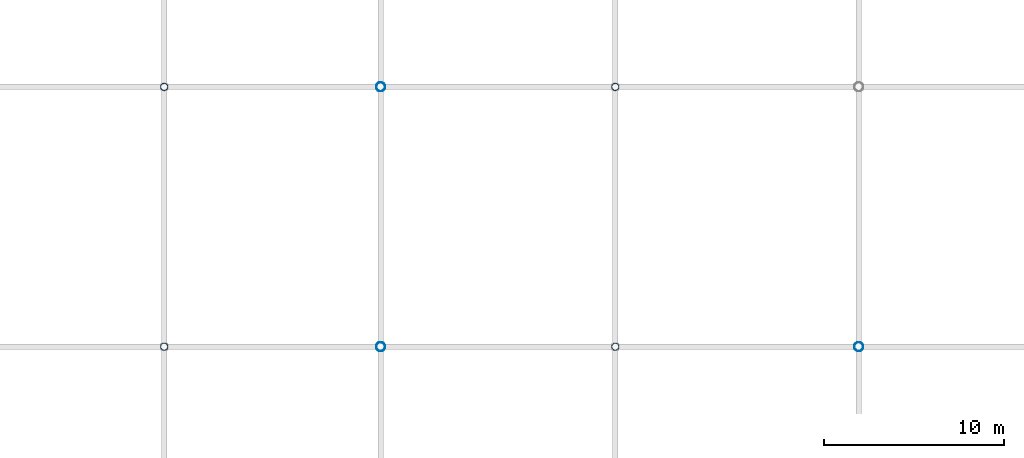
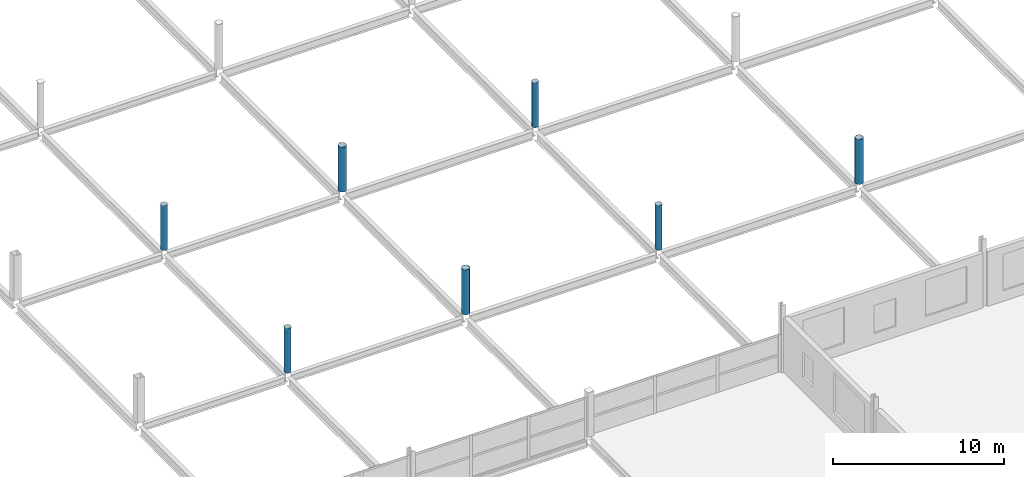
# One storey, part 15 of 134: 7 columns.
"""IFC4 building model written with IfcOpenShell, lengths in metres."""

from ifc_helpers import new_model, si_unit, direction, frame, origin, origin_2d, place, context, subcontext, project, spatial, hollow_circle, extrude, material, material_profile, profile_set, type_object, element, save


model = new_model("IFC4")

# Units and contexts
model_context = context("Model", 3, precision=1e-05, world=origin(), true_north=direction((0.0, 1.0)))
body_context = subcontext(model_context, "Body", "Model", "MODEL_VIEW")
ifc_project = project(units=[si_unit("LENGTHUNIT", "METRE"), si_unit("AREAUNIT", "SQUARE_METRE"), si_unit("VOLUMEUNIT", "CUBIC_METRE"), si_unit("PLANEANGLEUNIT", "RADIAN"), si_unit("MASSUNIT", "GRAM", prefix="KILO")], contexts=[model_context])

# Site, building, storey
site_placement = place(None, origin())
site = spatial("IfcSite", under=ifc_project, at=site_placement, CompositionType="ELEMENT")
building_placement = place(site_placement, origin())
building = spatial("IfcBuilding", under=site, at=building_placement, Name="Tamarisk Ironworks Central Station", CompositionType="ELEMENT")
storey_placement = place(building_placement, frame((0.0, 0.0, 12.60009765625)))
storey = spatial("IfcBuildingStorey", under=building, at=storey_placement, Name="L02", CompositionType="ELEMENT", Elevation=12.60009765625)

# Columns
ifc_material = material(Name="Structural steel S355J2H", Category="steel")
ifc_material_profile_1 = material_profile(ifc_material, hollow_circle(Radius=0.25390625, WallThickness=0.01611328125, at=origin_2d()), Name="CHS 508x16")
ifc_profile_set_1 = profile_set([ifc_material_profile_1], Name="Structural steel S355J2H")
column_type_1 = type_object("IfcColumnType", Name="COL-S16", PredefinedType="COLUMN", material=ifc_profile_set_1)
for number, where, z_axis, x_axis, name in (
    (1, (140.0, 36.0, 0.0), (0.0, 0.0, 1.0), (1.0, 0.0, 0.0), "L02 column V1-17D"),
    (2, (140.0, 50.39990234375, 0.0), (0.0, 0.0, 1.0), (1.0, 0.0, 0.0), "L02 column V1-17E"),
    (3, (166.5, 36.0, 0.0), (0.0, 0.0, 1.0), (1.0, 0.0, 0.0), "L02 column V1-19D"),
):
    element("IfcColumn", number, at=place(storey_placement, frame(where, z_axis=z_axis, x_axis=x_axis)), inside=storey, type_object=column_type_1, Name=name, PredefinedType="COLUMN", context=body_context, shape_type="SweptSolid", body=[
        extrude(hollow_circle(Radius=0.25390625, WallThickness=0.01611328125, at=origin_2d()), origin(), (0.0, 0.0, 1.0), 3.199951171875),
    ])
ifc_material_profile_2 = material_profile(ifc_material, hollow_circle(Radius=0.203125, WallThickness=0.01416015625, at=origin_2d()), Name="CHS 406.4x14.2")
ifc_profile_set_2 = profile_set([ifc_material_profile_2], Name="Structural steel S355J2H")
column_type_2 = type_object("IfcColumnType", Name="COL-S17", PredefinedType="COLUMN", material=ifc_profile_set_2)
for number, where, z_axis, x_axis, name in (
    (4, (128.0, 36.0, 0.0), (0.0, 0.0, 1.0), (1.0, 0.0, 0.0), "L02 column V1-16D"),
    (5, (128.0, 50.39990234375, 0.0), (0.0, 0.0, 1.0), (1.0, 0.0, 0.0), "L02 column V1-16E"),
    (6, (153.0, 36.0, 0.0), (0.0, 0.0, 1.0), (1.0, 0.0, 0.0), "L02 column V1-18D"),
    (7, (153.0, 50.39990234375, 0.0), (0.0, 0.0, 1.0), (1.0, 0.0, 0.0), "L02 column V1-18E"),
):
    element("IfcColumn", number, at=place(storey_placement, frame(where, z_axis=z_axis, x_axis=x_axis)), inside=storey, type_object=column_type_2, Name=name, PredefinedType="COLUMN", context=body_context, shape_type="SweptSolid", body=[
        extrude(hollow_circle(Radius=0.203125, WallThickness=0.01416015625, at=origin_2d()), origin(), (0.0, 0.0, 1.0), 3.199951171875),
    ])

save(model, "model.ifc")
